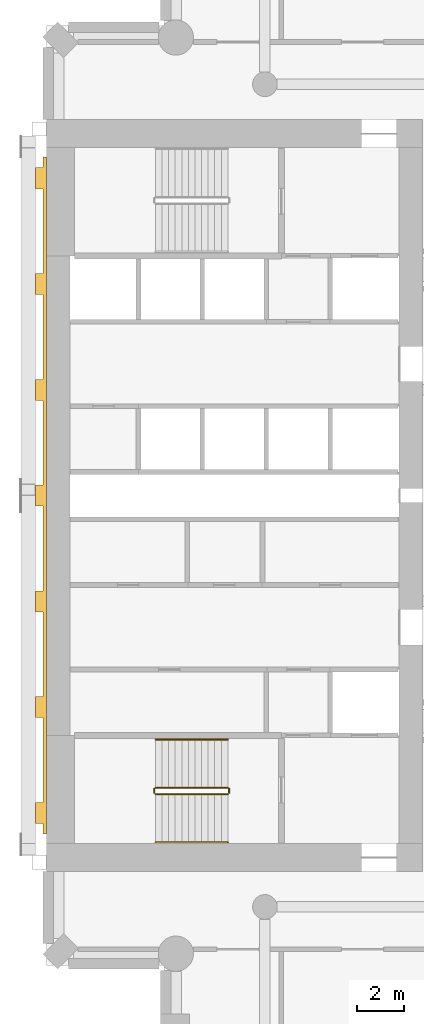
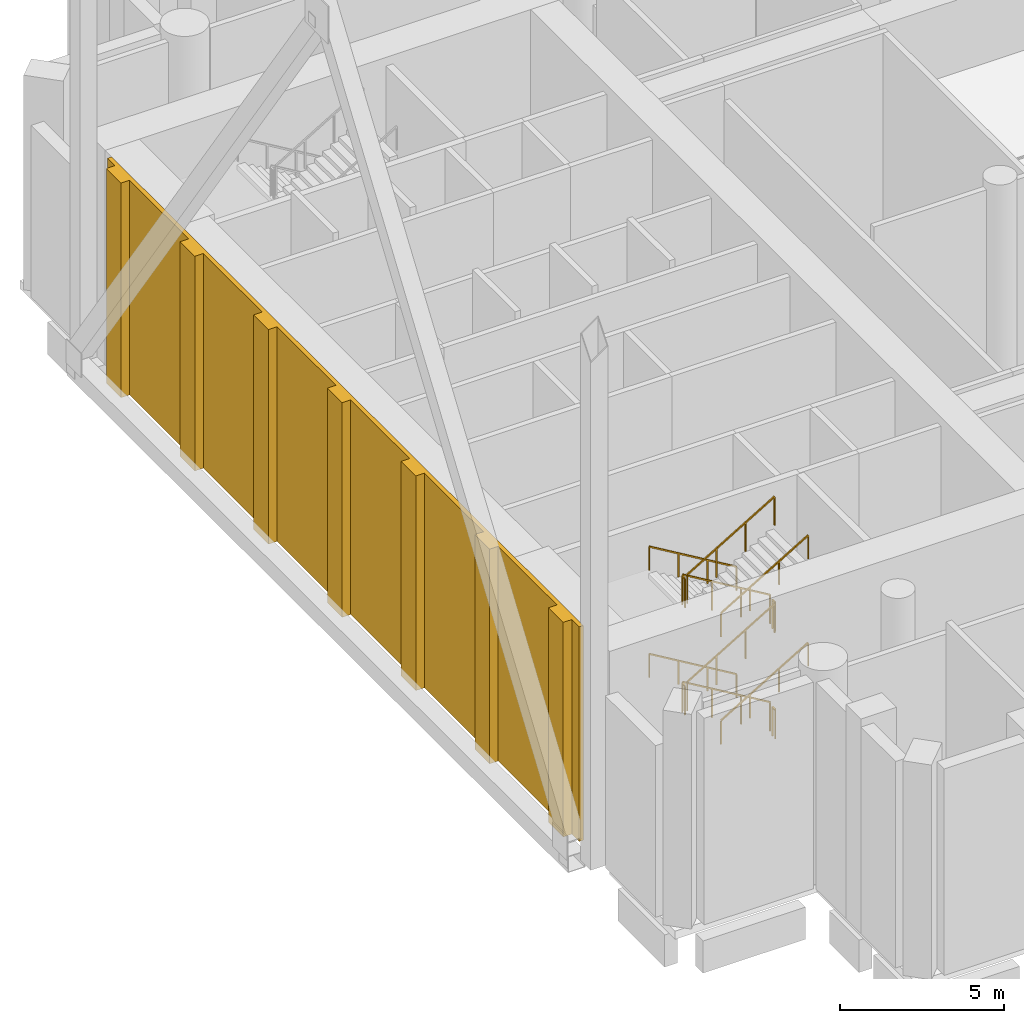
# One storey, part 11 of 14: 12 railings, 1 covering.
"""IFC4 building model written with IfcOpenShell, lengths in metres."""

from ifc_helpers import new_model, si_unit, direction, frame, origin, origin_2d, place, context, subcontext, project, spatial, polyline, rectangle, outline, extrude, material, layer, layer_set, type_object, element, save


model = new_model("IFC4")

# Units and contexts
model_context = context("Model", 3, precision=1e-05, world=origin(), true_north=direction((0.0, 1.0)))
body_context = subcontext(model_context, "Body", "Model", "MODEL_VIEW")
ifc_project = project(units=[si_unit("LENGTHUNIT", "METRE"), si_unit("AREAUNIT", "SQUARE_METRE"), si_unit("VOLUMEUNIT", "CUBIC_METRE"), si_unit("PLANEANGLEUNIT", "RADIAN"), si_unit("MASSUNIT", "GRAM", prefix="KILO")], contexts=[model_context])

# Site, building, storey
site_placement = place(None, origin())
site = spatial("IfcSite", under=ifc_project, at=site_placement, CompositionType="ELEMENT")
building_placement = place(site_placement, origin())
building = spatial("IfcBuilding", under=site, at=building_placement, Name="Cypress Arch Tower", CompositionType="ELEMENT")
storey_placement = place(building_placement, frame((0.0, 0.0, 152.5)))
storey = spatial("IfcBuildingStorey", under=building, at=storey_placement, Name="L33", CompositionType="ELEMENT", Elevation=152.5)

# Railings
ifc_material_1 = material(Name="Black powder-coated steel square bar 48 mm", Category="steel")
railing_type_1 = type_object("IfcRailingType", Name="Stair handrail HR1", PredefinedType="HANDRAIL", material=ifc_material_1)
railing_1_placement = place(storey_placement, frame((-22.27490234375, -10.375, 0.166748046875)))
element("IfcRailing", 1, at=railing_1_placement, inside=storey, type_object=railing_type_1, Name="L33 A stair handrail 1", PredefinedType="HANDRAIL", context=body_context, shape_type="SweptSolid", body=[
    extrude(rectangle(XDim=0.048095703125, YDim=0.048095703125, at=origin_2d()), frame((0.0, 0.0, 0.8759765625), z_axis=(-0.859308565015, 0.0, 0.511457515432), x_axis=(0.0, -1.0, 0.0)), (0.0, 0.0, 1.0), 3.58447265625),
    extrude(rectangle(XDim=0.0419921875, YDim=0.0419921875, at=origin_2d()), origin(), (0.0, 0.0, 1.0), 0.851806640625),
    extrude(rectangle(XDim=0.0419921875, YDim=0.0419921875, at=origin_2d()), frame((-1.026611328125, 0.0, 0.611083984375)), (0.0, 0.0, 1.0), 0.851806640625),
    extrude(rectangle(XDim=0.0419921875, YDim=0.0419921875, at=origin_2d()), frame((-2.053466796875, 0.0, 1.22216796875)), (0.0, 0.0, 1.0), 0.851806640625),
    extrude(rectangle(XDim=0.0419921875, YDim=0.0419921875, at=origin_2d()), frame((-3.080078125, 0.0, 1.833251953125)), (0.0, 0.0, 1.0), 0.851806640625),
])
railing_2_placement = place(storey_placement, frame((-25.35498046875, -14.75, 2.166748046875)))
element("IfcRailing", 2, at=railing_2_placement, inside=storey, type_object=railing_type_1, Name="L33 A stair handrail 2", PredefinedType="HANDRAIL", context=body_context, shape_type="SweptSolid", body=[
    extrude(rectangle(XDim=0.048095703125, YDim=0.048095703125, at=origin_2d()), frame((0.0, 0.0, 0.8759765625), z_axis=(0.859308565015, 0.0, 0.511457515432), x_axis=(0.0, 1.0, 0.0)), (0.0, 0.0, 1.0), 3.58447265625),
    extrude(rectangle(XDim=0.0419921875, YDim=0.0419921875, at=origin_2d()), origin(), (0.0, 0.0, 1.0), 0.851806640625),
    extrude(rectangle(XDim=0.0419921875, YDim=0.0419921875, at=origin_2d()), frame((1.026611328125, 0.0, 0.611083984375)), (0.0, 0.0, 1.0), 0.851806640625),
    extrude(rectangle(XDim=0.0419921875, YDim=0.0419921875, at=origin_2d()), frame((2.053466796875, 0.0, 1.22216796875)), (0.0, 0.0, 1.0), 0.851806640625),
    extrude(rectangle(XDim=0.0419921875, YDim=0.0419921875, at=origin_2d()), frame((3.080078125, 0.0, 1.833251953125)), (0.0, 0.0, 1.0), 0.851806640625),
])
railing_3_placement = place(storey_placement, frame((-22.27490234375, -10.375, 4.166748046875)))
element("IfcRailing", 3, at=railing_3_placement, inside=storey, type_object=railing_type_1, Name="L33 A stair handrail 3", PredefinedType="HANDRAIL", context=body_context, shape_type="SweptSolid", body=[
    extrude(rectangle(XDim=0.048095703125, YDim=0.048095703125, at=origin_2d()), frame((0.0, 0.0, 0.8759765625), z_axis=(-0.859308565015, 0.0, 0.511457515432), x_axis=(0.0, -1.0, 0.0)), (0.0, 0.0, 1.0), 3.58447265625),
    extrude(rectangle(XDim=0.0419921875, YDim=0.0419921875, at=origin_2d()), origin(), (0.0, 0.0, 1.0), 0.851806640625),
    extrude(rectangle(XDim=0.0419921875, YDim=0.0419921875, at=origin_2d()), frame((-1.026611328125, 0.0, 0.611083984375)), (0.0, 0.0, 1.0), 0.851806640625),
    extrude(rectangle(XDim=0.0419921875, YDim=0.0419921875, at=origin_2d()), frame((-2.053466796875, 0.0, 1.22216796875)), (0.0, 0.0, 1.0), 0.851806640625),
    extrude(rectangle(XDim=0.0419921875, YDim=0.0419921875, at=origin_2d()), frame((-3.080078125, 0.0, 1.833251953125)), (0.0, 0.0, 1.0), 0.851806640625),
])
railing_4_placement = place(storey_placement, frame((-25.35498046875, -14.75, 6.166748046875)))
element("IfcRailing", 4, at=railing_4_placement, inside=storey, type_object=railing_type_1, Name="L33 A stair handrail 4", PredefinedType="HANDRAIL", context=body_context, shape_type="SweptSolid", body=[
    extrude(rectangle(XDim=0.048095703125, YDim=0.048095703125, at=origin_2d()), frame((0.0, 0.0, 0.8759765625), z_axis=(0.859308565015, 0.0, 0.511457515432), x_axis=(0.0, 1.0, 0.0)), (0.0, 0.0, 1.0), 3.58447265625),
    extrude(rectangle(XDim=0.0419921875, YDim=0.0419921875, at=origin_2d()), origin(), (0.0, 0.0, 1.0), 0.851806640625),
    extrude(rectangle(XDim=0.0419921875, YDim=0.0419921875, at=origin_2d()), frame((1.026611328125, 0.0, 0.611083984375)), (0.0, 0.0, 1.0), 0.851806640625),
    extrude(rectangle(XDim=0.0419921875, YDim=0.0419921875, at=origin_2d()), frame((2.053466796875, 0.0, 1.22216796875)), (0.0, 0.0, 1.0), 0.851806640625),
    extrude(rectangle(XDim=0.0419921875, YDim=0.0419921875, at=origin_2d()), frame((3.080078125, 0.0, 1.833251953125)), (0.0, 0.0, 1.0), 0.851806640625),
])
ifc_material_2 = material(Name="Black powder-coated steel balusters", Category="steel")
railing_type_2 = type_object("IfcRailingType", Name="Stair well guard G1", PredefinedType="GUARDRAIL", material=ifc_material_2)
railing_5_placement = place(storey_placement, frame((-22.27490234375, -12.425048828125, 0.166748046875)))
element("IfcRailing", 5, at=railing_5_placement, inside=storey, type_object=railing_type_2, Name="L33 A stair guard 1", PredefinedType="GUARDRAIL", context=body_context, shape_type="SweptSolid", body=[
    extrude(rectangle(XDim=0.048095703125, YDim=0.048095703125, at=origin_2d()), frame((0.0, 0.0, 1.076171875), z_axis=(-0.859308565015, 0.0, 0.511457515432), x_axis=(0.0, -1.0, 0.0)), (0.0, 0.0, 1.0), 3.58447265625),
    extrude(rectangle(XDim=0.0419921875, YDim=0.0419921875, at=origin_2d()), origin(), (0.0, 0.0, 1.0), 1.052001953125),
    extrude(rectangle(XDim=0.0419921875, YDim=0.0419921875, at=origin_2d()), frame((-1.026611328125, 0.0, 0.611083984375)), (0.0, 0.0, 1.0), 1.052001953125),
    extrude(rectangle(XDim=0.0419921875, YDim=0.0419921875, at=origin_2d()), frame((-2.053466796875, 0.0, 1.22216796875)), (0.0, 0.0, 1.0), 1.052001953125),
    extrude(rectangle(XDim=0.0419921875, YDim=0.0419921875, at=origin_2d()), frame((-3.080078125, 0.0, 1.833251953125)), (0.0, 0.0, 1.0), 1.052001953125),
])
railing_6_placement = place(storey_placement, frame((-25.405029296875, -12.47509765625, 2.0)))
element("IfcRailing", 6, at=railing_6_placement, inside=storey, type_object=railing_type_2, Name="L33 A stair guard 2", PredefinedType="GUARDRAIL", context=body_context, shape_type="SweptSolid", body=[
    extrude(rectangle(XDim=0.048095703125, YDim=0.048095703125, at=origin_2d()), frame((0.0, 0.0, 1.076171875), z_axis=(0.0, -1.0, 0.0), x_axis=(1.0, 0.0, 0.0)), (0.0, 0.0, 1.0), 0.1748046875),
    extrude(rectangle(XDim=0.0419921875, YDim=0.0419921875, at=origin_2d()), origin(), (0.0, 0.0, 1.0), 1.052001953125),
    extrude(rectangle(XDim=0.0419921875, YDim=0.0419921875, at=origin_2d()), frame((0.0, -0.1748046875, 0.0)), (0.0, 0.0, 1.0), 1.052001953125),
])
railing_7_placement = place(storey_placement, frame((-25.35498046875, -12.699951171875, 2.166748046875)))
element("IfcRailing", 7, at=railing_7_placement, inside=storey, type_object=railing_type_2, Name="L33 A stair guard 3", PredefinedType="GUARDRAIL", context=body_context, shape_type="SweptSolid", body=[
    extrude(rectangle(XDim=0.048095703125, YDim=0.048095703125, at=origin_2d()), frame((0.0, 0.0, 1.076171875), z_axis=(0.859308565015, 0.0, 0.511457515432), x_axis=(0.0, 1.0, 0.0)), (0.0, 0.0, 1.0), 3.58447265625),
    extrude(rectangle(XDim=0.0419921875, YDim=0.0419921875, at=origin_2d()), origin(), (0.0, 0.0, 1.0), 1.052001953125),
    extrude(rectangle(XDim=0.0419921875, YDim=0.0419921875, at=origin_2d()), frame((1.026611328125, 0.0, 0.611083984375)), (0.0, 0.0, 1.0), 1.052001953125),
    extrude(rectangle(XDim=0.0419921875, YDim=0.0419921875, at=origin_2d()), frame((2.053466796875, 0.0, 1.22216796875)), (0.0, 0.0, 1.0), 1.052001953125),
    extrude(rectangle(XDim=0.0419921875, YDim=0.0419921875, at=origin_2d()), frame((3.080078125, 0.0, 1.833251953125)), (0.0, 0.0, 1.0), 1.052001953125),
])
railing_8_placement = place(storey_placement, frame((-22.22509765625, -12.47509765625, 4.0)))
element("IfcRailing", 8, at=railing_8_placement, inside=storey, type_object=railing_type_2, Name="L33 A stair guard 4", PredefinedType="GUARDRAIL", context=body_context, shape_type="SweptSolid", body=[
    extrude(rectangle(XDim=0.048095703125, YDim=0.048095703125, at=origin_2d()), frame((0.0, 0.0, 1.076171875), z_axis=(0.0, -1.0, 0.0), x_axis=(1.0, 0.0, 0.0)), (0.0, 0.0, 1.0), 0.1748046875),
    extrude(rectangle(XDim=0.0419921875, YDim=0.0419921875, at=origin_2d()), origin(), (0.0, 0.0, 1.0), 1.052001953125),
    extrude(rectangle(XDim=0.0419921875, YDim=0.0419921875, at=origin_2d()), frame((0.0, -0.1748046875, 0.0)), (0.0, 0.0, 1.0), 1.052001953125),
])
railing_9_placement = place(storey_placement, frame((-22.27490234375, -12.425048828125, 4.166748046875)))
element("IfcRailing", 9, at=railing_9_placement, inside=storey, type_object=railing_type_2, Name="L33 A stair guard 5", PredefinedType="GUARDRAIL", context=body_context, shape_type="SweptSolid", body=[
    extrude(rectangle(XDim=0.048095703125, YDim=0.048095703125, at=origin_2d()), frame((0.0, 0.0, 1.076171875), z_axis=(-0.859308565015, 0.0, 0.511457515432), x_axis=(0.0, -1.0, 0.0)), (0.0, 0.0, 1.0), 3.58447265625),
    extrude(rectangle(XDim=0.0419921875, YDim=0.0419921875, at=origin_2d()), origin(), (0.0, 0.0, 1.0), 1.052001953125),
    extrude(rectangle(XDim=0.0419921875, YDim=0.0419921875, at=origin_2d()), frame((-1.026611328125, 0.0, 0.611083984375)), (0.0, 0.0, 1.0), 1.052001953125),
    extrude(rectangle(XDim=0.0419921875, YDim=0.0419921875, at=origin_2d()), frame((-2.053466796875, 0.0, 1.22216796875)), (0.0, 0.0, 1.0), 1.052001953125),
    extrude(rectangle(XDim=0.0419921875, YDim=0.0419921875, at=origin_2d()), frame((-3.080078125, 0.0, 1.833251953125)), (0.0, 0.0, 1.0), 1.052001953125),
])
railing_10_placement = place(storey_placement, frame((-25.405029296875, -12.47509765625, 6.0)))
element("IfcRailing", 10, at=railing_10_placement, inside=storey, type_object=railing_type_2, Name="L33 A stair guard 6", PredefinedType="GUARDRAIL", context=body_context, shape_type="SweptSolid", body=[
    extrude(rectangle(XDim=0.048095703125, YDim=0.048095703125, at=origin_2d()), frame((0.0, 0.0, 1.076171875), z_axis=(0.0, -1.0, 0.0), x_axis=(1.0, 0.0, 0.0)), (0.0, 0.0, 1.0), 0.1748046875),
    extrude(rectangle(XDim=0.0419921875, YDim=0.0419921875, at=origin_2d()), origin(), (0.0, 0.0, 1.0), 1.052001953125),
    extrude(rectangle(XDim=0.0419921875, YDim=0.0419921875, at=origin_2d()), frame((0.0, -0.1748046875, 0.0)), (0.0, 0.0, 1.0), 1.052001953125),
])
railing_11_placement = place(storey_placement, frame((-25.35498046875, -12.699951171875, 6.166748046875)))
element("IfcRailing", 11, at=railing_11_placement, inside=storey, type_object=railing_type_2, Name="L33 A stair guard 7", PredefinedType="GUARDRAIL", context=body_context, shape_type="SweptSolid", body=[
    extrude(rectangle(XDim=0.048095703125, YDim=0.048095703125, at=origin_2d()), frame((0.0, 0.0, 1.076171875), z_axis=(0.859308565015, 0.0, 0.511457515432), x_axis=(0.0, 1.0, 0.0)), (0.0, 0.0, 1.0), 3.58447265625),
    extrude(rectangle(XDim=0.0419921875, YDim=0.0419921875, at=origin_2d()), origin(), (0.0, 0.0, 1.0), 1.052001953125),
    extrude(rectangle(XDim=0.0419921875, YDim=0.0419921875, at=origin_2d()), frame((1.026611328125, 0.0, 0.611083984375)), (0.0, 0.0, 1.0), 1.052001953125),
    extrude(rectangle(XDim=0.0419921875, YDim=0.0419921875, at=origin_2d()), frame((2.053466796875, 0.0, 1.22216796875)), (0.0, 0.0, 1.0), 1.052001953125),
    extrude(rectangle(XDim=0.0419921875, YDim=0.0419921875, at=origin_2d()), frame((3.080078125, 0.0, 1.833251953125)), (0.0, 0.0, 1.0), 1.052001953125),
])
railing_12_placement = place(storey_placement, frame((-22.22509765625, -12.47509765625, 0.0)))
element("IfcRailing", 12, at=railing_12_placement, inside=storey, type_object=railing_type_2, Name="L33 A stair guard 8", PredefinedType="GUARDRAIL", context=body_context, shape_type="SweptSolid", body=[
    extrude(rectangle(XDim=0.048095703125, YDim=0.048095703125, at=origin_2d()), frame((0.0, 0.0, 1.076171875), z_axis=(0.0, -1.0, 0.0), x_axis=(1.0, 0.0, 0.0)), (0.0, 0.0, 1.0), 0.1748046875),
    extrude(rectangle(XDim=0.0419921875, YDim=0.0419921875, at=origin_2d()), origin(), (0.0, 0.0, 1.0), 1.052001953125),
    extrude(rectangle(XDim=0.0419921875, YDim=0.0419921875, at=origin_2d()), frame((0.0, -0.1748046875, 0.0)), (0.0, 0.0, 1.0), 1.052001953125),
])

# Covering
ifc_material_3 = material(Name="Brick (red buff blend)", Category="masonry")
ifc_layer = layer(ifc_material_3, 0.449951171875)
ifc_layer_set = layer_set([ifc_layer], Name="West face brick piers WP450")
covering_type = type_object("IfcCoveringType", Name="West face brick piers WP450", PredefinedType="CLADDING", material=ifc_layer_set)
covering_placement = place(storey_placement, origin())
element("IfcCovering", 13, at=covering_placement, inside=storey, type_object=covering_type, Name="West face brick piers L33", PredefinedType="CLADDING", context=body_context, shape_type="SweptSolid", body=[
    extrude(outline(polyline([(-30.14990234375, -13.050048828125), (-30.14990234375, -9.449951171875), (-30.449951171875, -9.449951171875), (-30.449951171875, -8.550048828125), (-30.14990234375, -8.550048828125), (-30.14990234375, -4.949951171875), (-30.449951171875, -4.949951171875), (-30.449951171875, -4.050048828125), (-30.14990234375, -4.050048828125), (-30.14990234375, -0.449951171875), (-30.449951171875, -0.449951171875), (-30.449951171875, 0.449951171875), (-30.14990234375, 0.449951171875), (-30.14990234375, 4.050048828125), (-30.449951171875, 4.050048828125), (-30.449951171875, 4.949951171875), (-30.14990234375, 4.949951171875), (-30.14990234375, 8.550048828125), (-30.449951171875, 8.550048828125), (-30.449951171875, 9.449951171875), (-30.14990234375, 9.449951171875), (-30.14990234375, 13.050048828125), (-30.449951171875, 13.050048828125), (-30.449951171875, 13.949951171875), (-30.14990234375, 13.949951171875), (-30.14990234375, 14.39990234375), (-30.0, 14.39990234375), (-30.0, -14.39990234375), (-30.14990234375, -14.39990234375), (-30.14990234375, -13.949951171875), (-30.449951171875, -13.949951171875), (-30.449951171875, -13.050048828125), (-30.14990234375, -13.050048828125)])), origin(), (0.0, 0.0, 1.0), 8.0),
])

save(model, "model.ifc")
